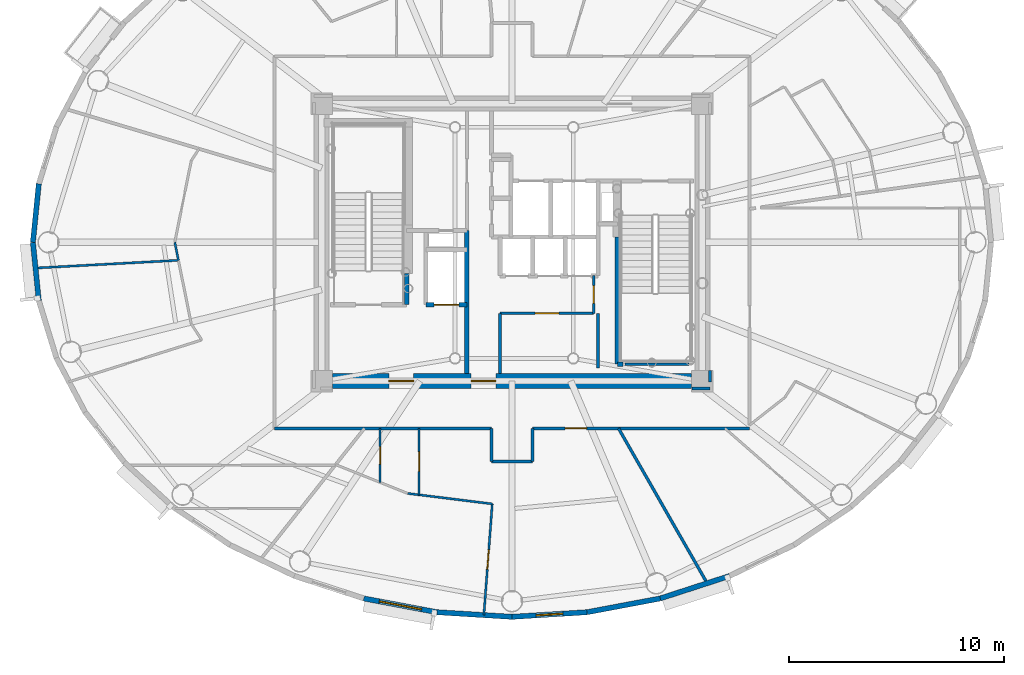
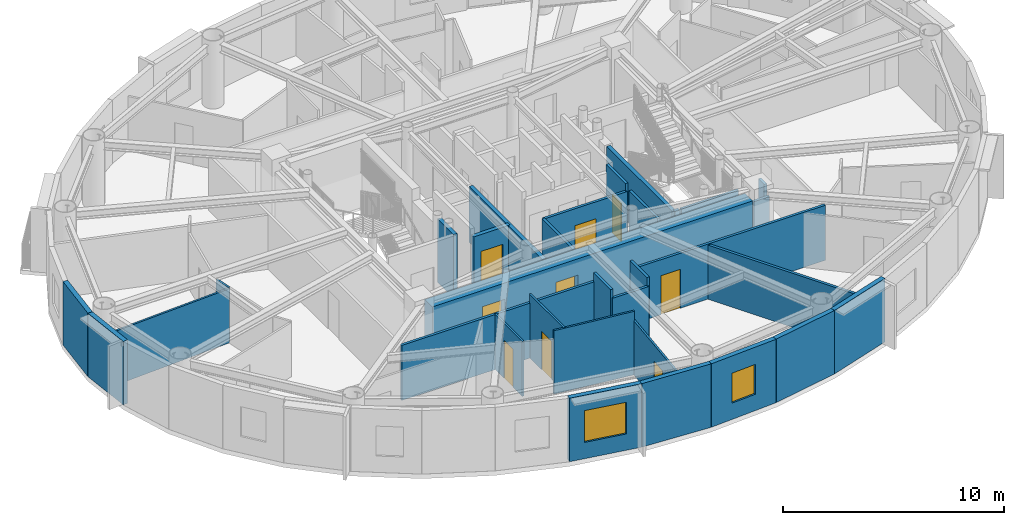
# One storey, part 6 of 17: 32 walls, 9 doors, 2 windows, 11 openings.
"""IFC4 building model written with IfcOpenShell, lengths in metres."""

from ifc_helpers import new_model, si_unit, direction, frame, frame_2d, origin, origin_2d, place, context, subcontext, project, spatial, rectangle, extrude, source, transform, mapped, material, layer, layer_set, type_object, element, fill, save


model = new_model("IFC4")

# Units and contexts
model_context = context("Model", 3, precision=1e-05, world=origin(), true_north=direction((0.0, 1.0)))
body_context = subcontext(model_context, "Body", "Model", "MODEL_VIEW")
ifc_project = project(units=[si_unit("LENGTHUNIT", "METRE"), si_unit("AREAUNIT", "SQUARE_METRE"), si_unit("VOLUMEUNIT", "CUBIC_METRE"), si_unit("PLANEANGLEUNIT", "RADIAN"), si_unit("MASSUNIT", "GRAM", prefix="KILO")], contexts=[model_context])

# Site, building, storey
site_placement = place(None, origin())
site = spatial("IfcSite", under=ifc_project, at=site_placement, CompositionType="ELEMENT")
building_placement = place(site_placement, origin())
building = spatial("IfcBuilding", under=site, at=building_placement, Name="Linh Dai School and Residence Tower", CompositionType="ELEMENT")
storey_placement = place(building_placement, frame((0.0, 0.0, 276.75)))
storey = spatial("IfcBuildingStorey", under=building, at=storey_placement, Name="L68", CompositionType="ELEMENT", Elevation=276.75)

# Walls
ifc_material_1 = material(Name="Precast Concrete B45 (C35/45)", Category="concrete")
ifc_layer_1 = layer(ifc_material_1, 0.239990234375)
ifc_layer_set_1 = layer_set([ifc_layer_1], Name="Precast Concrete B45 (C35/45)")
wall_type_1 = type_object("IfcWallType", Name="EW-TC-240", PredefinedType="SOLIDWALL", material=ifc_layer_set_1)
for number, where, z_axis, x_axis, name in (
    (1, (13.72509765625, 27.0, 0.0), (0.0, 0.0, 1.0), (0.099972526841, 0.99499019788, 0.0), "L68 Terracotta Exterior Wall 20"),
    (2, (13.998291015625, 24.281005859375, 0.0), (0.0, 0.0, 1.0), (-0.099972526841, 0.99499019788, 0.0), "L68 Terracotta Exterior Wall 21"),
):
    element("IfcWall", number, at=place(storey_placement, frame(where, z_axis=z_axis, x_axis=x_axis)), inside=storey, type_object=wall_type_1, Name=name, PredefinedType="SOLIDWALL", context=body_context, shape_type="SweptSolid", body=[
        extrude(rectangle(XDim=2.732666015625, YDim=0.239990234375, at=frame_2d((1.3662109375, 0.0))), origin(), (0.0, 0.0, 1.0), 3.5),
    ])

# Wall, opening, window
wall_1_placement = place(storey_placement, frame((32.51123046875, 9.800048828125, 0.0), z_axis=(0.0, 0.0, 1.0), x_axis=(-0.982782655757, 0.184765395959, 0.0)))
wall_1 = element("IfcWall", 3, at=wall_1_placement, inside=storey, type_object=wall_type_1, Name="L68 Terracotta Exterior Wall 29", PredefinedType="SOLIDWALL", context=body_context, shape_type="SweptSolid", body=[
    extrude(rectangle(XDim=3.4619140625, YDim=0.239990234375, at=frame_2d((1.73095703125, 0.0))), origin(), (0.0, 0.0, 1.0), 3.5),
])
opening_1_placement = place(wall_1_placement, frame((0.73095703125, 0.0, 0.89990234375)))
opening_1 = element("IfcOpeningElement", 4, at=opening_1_placement, cuts=wall_1, Name="Opening W1", PredefinedType="OPENING", context=body_context, shape_type="SweptSolid", body=[
    extrude(rectangle(XDim=2.0, YDim=1.75, at=origin_2d()), frame((1.0, 0.1298828125, 0.875), z_axis=(0.0, -1.0, 0.0), x_axis=(1.0, 0.0, 0.0)), (0.0, 0.0, 1.0), 0.260009765625),
])
ifc_material_2 = material(Name="Double Low-E Insulated Glazing", Category="glass")
window_type_1 = type_object("IfcWindowType", Name="WN-RES-2000x1750", PartitioningType="DOUBLE_PANEL_VERTICAL", PredefinedType="WINDOW", material=ifc_material_2)
shared_shape_1 = source(origin(), body_context, "Body", "SweptSolid", [
    extrude(rectangle(XDim=2.0, YDim=1.75, at=origin_2d()), frame((1.0, 0.030029296875, 0.875), z_axis=(0.0, -1.0, 0.0), x_axis=(1.0, 0.0, 0.0)), (0.0, 0.0, 1.0), 0.06005859375),
])
window_1_placement = place(opening_1_placement, origin())
window_1 = element("IfcWindow", 5, at=window_1_placement, inside=storey, type_object=window_type_1, Name="L68 Exterior Window 29.1", OverallHeight=1.75, OverallWidth=2.0, PartitioningType="DOUBLE_PANEL_VERTICAL", PredefinedType="WINDOW", context=body_context, shape_type="MappedRepresentation", body=[
    mapped(shared_shape_1, transform((0.0, 0.0, 0.0), x_axis=(1.0, 0.0, 0.0), y_axis=(0.0, 1.0, 0.0), z_axis=(0.0, 0.0, 1.0), scale=1.0)),
])
fill(opening_1, window_1)

# Wall
wall_2_placement = place(storey_placement, frame((36.0, 9.5849609375, 0.0), z_axis=(0.0, 0.0, 1.0), x_axis=(-0.998104946479, 0.061534671648, 0.0)))
element("IfcWall", 6, at=wall_2_placement, inside=storey, type_object=wall_type_1, Name="L68 Terracotta Exterior Wall 30", PredefinedType="SOLIDWALL", context=body_context, shape_type="SweptSolid", body=[
    extrude(rectangle(XDim=3.495361328125, YDim=0.239990234375, at=frame_2d((1.74755859375, 0.0))), origin(), (0.0, 0.0, 1.0), 3.5),
])

# Wall, opening, window
wall_3_placement = place(storey_placement, frame((39.48876953125, 9.800048828125, 0.0), z_axis=(0.0, 0.0, 1.0), x_axis=(-0.998104946479, -0.061534671648, 0.0)))
wall_3 = element("IfcWall", 7, at=wall_3_placement, inside=storey, type_object=wall_type_1, Name="L68 Terracotta Exterior Wall 31", PredefinedType="SOLIDWALL", context=body_context, shape_type="SweptSolid", body=[
    extrude(rectangle(XDim=3.495361328125, YDim=0.239990234375, at=frame_2d((1.74755859375, 0.0))), origin(), (0.0, 0.0, 1.0), 3.5),
])
opening_2_placement = place(wall_3_placement, frame((1.122802734375, 0.0, 0.89990234375)))
opening_2 = element("IfcOpeningElement", 8, at=opening_2_placement, cuts=wall_3, Name="Opening W3", PredefinedType="OPENING", context=body_context, shape_type="SweptSolid", body=[
    extrude(rectangle(XDim=1.25, YDim=1.64990234375, at=origin_2d()), frame((0.625, 0.1298828125, 0.824951171875), z_axis=(0.0, -1.0, 0.0), x_axis=(1.0, 0.0, 0.0)), (0.0, 0.0, 1.0), 0.260009765625),
])
window_type_2 = type_object("IfcWindowType", Name="WN-RES-1250x1650", PartitioningType="SINGLE_PANEL", PredefinedType="WINDOW", material=ifc_material_2)
shared_shape_2 = source(origin(), body_context, "Body", "SweptSolid", [
    extrude(rectangle(XDim=1.25, YDim=1.64990234375, at=origin_2d()), frame((0.625, 0.030029296875, 0.824951171875), z_axis=(0.0, -1.0, 0.0), x_axis=(1.0, 0.0, 0.0)), (0.0, 0.0, 1.0), 0.06005859375),
])
window_2_placement = place(opening_2_placement, origin())
window_2 = element("IfcWindow", 9, at=window_2_placement, inside=storey, type_object=window_type_2, Name="L68 Dwelling Window U6805-LIV", OverallHeight=1.64990234375, OverallWidth=1.25, PartitioningType="SINGLE_PANEL", PredefinedType="WINDOW", context=body_context, shape_type="MappedRepresentation", body=[
    mapped(shared_shape_2, transform((0.0, 0.0, 0.0), x_axis=(1.0, 0.0, 0.0), y_axis=(0.0, 1.0, 0.0), z_axis=(0.0, 0.0, 1.0), scale=1.0)),
])
fill(opening_2, window_2)

# Walls
wall_4_placement = place(storey_placement, frame((42.89111328125, 10.439697265625, 0.0), z_axis=(0.0, 0.0, 1.0), x_axis=(-0.982782655757, -0.184765395959, 0.0)))
element("IfcWall", 10, at=wall_4_placement, inside=storey, type_object=wall_type_1, Name="L68 Terracotta Exterior Wall 32", PredefinedType="SOLIDWALL", context=body_context, shape_type="SweptSolid", body=[
    extrude(rectangle(XDim=3.4619140625, YDim=0.239990234375, at=frame_2d((1.73095703125, 0.0))), origin(), (0.0, 0.0, 1.0), 3.5),
])
wall_5_placement = place(storey_placement, frame((46.123046875, 11.48779296875, 0.0), z_axis=(0.0, 0.0, 1.0), x_axis=(-0.95123136723, -0.308478339592, 0.0)))
element("IfcWall", 11, at=wall_5_placement, inside=storey, type_object=wall_type_1, Name="L68 Terracotta Exterior Wall 33", PredefinedType="SOLIDWALL", context=body_context, shape_type="SweptSolid", body=[
    extrude(rectangle(XDim=3.397705078125, YDim=0.239990234375, at=frame_2d((1.69873046875, 0.0))), origin(), (0.0, 0.0, 1.0), 3.5),
])
ifc_material_3 = material(Name="Autoclaved Aerated Concrete Blockwork", Category="masonry")
ifc_layer_2 = layer(ifc_material_3, 0.135009765625)
ifc_layer_set_2 = layer_set([ifc_layer_2], Name="Autoclaved Aerated Concrete Blockwork")
wall_type_2 = type_object("IfcWallType", Name="IW-CORR-135-EI90", PredefinedType="PARTITIONING", material=ifc_layer_set_2)
wall_6_placement = place(storey_placement, frame((24.949951171875, 18.35009765625, 0.0), z_axis=(0.0, 0.0, 1.0), x_axis=(1.0, 0.0, 0.0)))
element("IfcWall", 12, at=wall_6_placement, inside=storey, type_object=wall_type_2, Name="L68 Interior Partition Wall 014", PredefinedType="PARTITIONING", context=body_context, shape_type="SweptSolid", body=[
    extrude(rectangle(XDim=10.10009765625, YDim=0.135009765625, at=frame_2d((5.050048828125, 0.0))), origin(), (0.0, 0.0, 1.0), 3.034912109375),
])
wall_7_placement = place(storey_placement, frame((35.050048828125, 16.800048828125, 0.0), z_axis=(0.0, 0.0, 1.0), x_axis=(0.0, 1.0, 0.0)))
element("IfcWall", 13, at=wall_7_placement, inside=storey, type_object=wall_type_2, Name="L68 Interior Partition Wall 035", PredefinedType="PARTITIONING", context=body_context, shape_type="SweptSolid", body=[
    extrude(rectangle(XDim=1.550048828125, YDim=0.135009765625, at=frame_2d((0.77490234375, 0.0))), origin(), (0.0, 0.0, 1.0), 3.5),
])
wall_8_placement = place(storey_placement, frame((35.050048828125, 16.800048828125, 0.0), z_axis=(0.0, 0.0, 1.0), x_axis=(1.0, 0.0, 0.0)))
element("IfcWall", 14, at=wall_8_placement, inside=storey, type_object=wall_type_2, Name="L68 Interior Partition Wall 036", PredefinedType="PARTITIONING", context=body_context, shape_type="SweptSolid", body=[
    extrude(rectangle(XDim=1.89990234375, YDim=0.135009765625, at=frame_2d((0.949951171875, 0.0))), origin(), (0.0, 0.0, 1.0), 3.034912109375),
])
wall_9_placement = place(storey_placement, frame((35.449951171875, 20.89990234375, 0.0), z_axis=(0.0, 0.0, 1.0), x_axis=(0.0, 1.0, 0.0)))
element("IfcWall", 15, at=wall_9_placement, inside=storey, type_object=wall_type_2, Name="L68 Interior Partition Wall 045", PredefinedType="PARTITIONING", context=body_context, shape_type="SweptSolid", body=[
    extrude(rectangle(XDim=2.800048828125, YDim=0.135009765625, at=frame_2d((1.39990234375, 0.0))), origin(), (0.0, 0.0, 1.0), 3.0849609375),
])

# Wall, opening, door
wall_10_placement = place(storey_placement, frame((35.449951171875, 23.699951171875, 0.0), z_axis=(0.0, 0.0, 1.0), x_axis=(1.0, 0.0, 0.0)))
wall_10 = element("IfcWall", 16, at=wall_10_placement, inside=storey, type_object=wall_type_2, Name="L68 Interior Partition Wall 046", PredefinedType="PARTITIONING", context=body_context, shape_type="SweptSolid", body=[
    extrude(rectangle(XDim=4.35009765625, YDim=0.135009765625, at=frame_2d((2.175048828125, 0.0))), origin(), (0.0, 0.0, 1.0), 3.0849609375),
])
opening_3_placement = place(wall_10_placement, frame((1.625, 0.0, 0.0)))
opening_3 = element("IfcOpeningElement", 17, at=opening_3_placement, cuts=wall_10, Name="Opening D07", PredefinedType="OPENING", context=body_context, shape_type="SweptSolid", body=[
    extrude(rectangle(XDim=1.10009765625, YDim=2.14990234375, at=origin_2d()), frame((0.550048828125, 0.07763671875, 1.074951171875), z_axis=(0.0, -1.0, 0.0), x_axis=(1.0, 0.0, 0.0)), (0.0, 0.0, 1.0), 0.155029296875),
])
ifc_material_4 = material(Name="Fire-Rated Louvred Steel Plant Door", Category="steel")
door_type_1 = type_object("IfcDoorType", Name="DR-PLT-1100x2150-FD60S", OperationType="NOTDEFINED", PredefinedType="DOOR", material=ifc_material_4)
shared_shape_3 = source(origin(), body_context, "Body", "SweptSolid", [
    extrude(rectangle(XDim=1.10009765625, YDim=2.14990234375, at=origin_2d()), frame((0.550048828125, 0.02490234375, 1.074951171875), z_axis=(0.0, -1.0, 0.0), x_axis=(1.0, 0.0, 0.0)), (0.0, 0.0, 1.0), 0.050048828125),
])
door_1_placement = place(opening_3_placement, origin())
door_1 = element("IfcDoor", 18, at=door_1_placement, inside=storey, type_object=door_type_1, Name="L68 Tenant Metering and BMS Room Door", OperationType="SINGLE_SWING_RIGHT", OverallHeight=2.14990234375, OverallWidth=1.10009765625, PredefinedType="DOOR", context=body_context, shape_type="MappedRepresentation", body=[
    mapped(shared_shape_3, transform((0.0, 0.0, 0.0), x_axis=(1.0, 0.0, 0.0), y_axis=(0.0, 1.0, 0.0), z_axis=(0.0, 0.0, 1.0), scale=1.0)),
])
fill(opening_3, door_1)

# Wall
wall_11_placement = place(storey_placement, frame((36.949951171875, 16.800048828125, 0.0), z_axis=(0.0, 0.0, 1.0), x_axis=(0.0, 1.0, 0.0)))
element("IfcWall", 19, at=wall_11_placement, inside=storey, type_object=wall_type_2, Name="L68 Interior Partition Wall 053", PredefinedType="PARTITIONING", context=body_context, shape_type="SweptSolid", body=[
    extrude(rectangle(XDim=1.550048828125, YDim=0.135009765625, at=frame_2d((0.77490234375, 0.0))), origin(), (0.0, 0.0, 1.0), 3.5),
])

# Wall, opening, door
wall_12_placement = place(storey_placement, frame((36.949951171875, 18.35009765625, 0.0), z_axis=(0.0, 0.0, 1.0), x_axis=(1.0, 0.0, 0.0)))
wall_12 = element("IfcWall", 20, at=wall_12_placement, inside=storey, type_object=wall_type_2, Name="L68 Interior Partition Wall 054", PredefinedType="PARTITIONING", context=body_context, shape_type="SweptSolid", body=[
    extrude(rectangle(XDim=10.10009765625, YDim=0.135009765625, at=frame_2d((5.050048828125, 0.0))), origin(), (0.0, 0.0, 1.0), 3.034912109375),
])
opening_4_placement = place(wall_12_placement, frame((1.52099609375, 0.0, 0.0)))
opening_4 = element("IfcOpeningElement", 21, at=opening_4_placement, cuts=wall_12, Name="Opening D03", PredefinedType="OPENING", context=body_context, shape_type="SweptSolid", body=[
    extrude(rectangle(XDim=1.0, YDim=2.14990234375, at=origin_2d()), frame((0.5, 0.07763671875, 1.074951171875), z_axis=(0.0, -1.0, 0.0), x_axis=(1.0, 0.0, 0.0)), (0.0, 0.0, 1.0), 0.155029296875),
])
ifc_material_5 = material(Name="Fire-Rated Solid Timber Entrance Door", Category="wood")
door_type_2 = type_object("IfcDoorType", Name="DR-FLAT-1000x2150-FD60S", OperationType="NOTDEFINED", PredefinedType="DOOR", material=ifc_material_5)
shared_shape_4 = source(origin(), body_context, "Body", "SweptSolid", [
    extrude(rectangle(XDim=1.0, YDim=2.14990234375, at=origin_2d()), frame((0.5, 0.02490234375, 1.074951171875), z_axis=(0.0, -1.0, 0.0), x_axis=(1.0, 0.0, 0.0)), (0.0, 0.0, 1.0), 0.050048828125),
])
door_2_placement = place(opening_4_placement, origin())
door_2 = element("IfcDoor", 22, at=door_2_placement, inside=storey, type_object=door_type_2, Name="L68 U6805 Apartment Entrance Door", OperationType="SINGLE_SWING_LEFT", OverallHeight=2.14990234375, OverallWidth=1.0, PredefinedType="DOOR", context=body_context, shape_type="MappedRepresentation", body=[
    mapped(shared_shape_4, transform((0.0, 0.0, 0.0), x_axis=(1.0, 0.0, 0.0), y_axis=(0.0, 1.0, 0.0), z_axis=(0.0, 0.0, 1.0), scale=1.0)),
])
fill(opening_4, door_2)

wall_13_placement = place(storey_placement, frame((39.800048828125, 23.699951171875, 0.0), z_axis=(0.0, 0.0, 1.0), x_axis=(0.0, 1.0, 0.0)))
wall_13 = element("IfcWall", 23, at=wall_13_placement, inside=storey, type_object=wall_type_2, Name="L68 Interior Partition Wall 063", PredefinedType="PARTITIONING", context=body_context, shape_type="SweptSolid", body=[
    extrude(rectangle(XDim=1.75, YDim=0.135009765625, at=frame_2d((0.875, 0.0))), origin(), (0.0, 0.0, 1.0), 3.5),
])
opening_5_placement = place(wall_13_placement, frame((0.465087890625, 0.0, 0.0)))
opening_5 = element("IfcOpeningElement", 24, at=opening_5_placement, cuts=wall_13, Name="Opening D06", PredefinedType="OPENING", context=body_context, shape_type="SweptSolid", body=[
    extrude(rectangle(XDim=0.820068359375, YDim=2.10009765625, at=origin_2d()), frame((0.41015625, 0.07763671875, 1.050048828125), z_axis=(0.0, -1.0, 0.0), x_axis=(1.0, 0.0, 0.0)), (0.0, 0.0, 1.0), 0.155029296875),
])
ifc_material_6 = material(Name="Moisture-Resistant Timber Bathroom Door", Category="wood")
door_type_3 = type_object("IfcDoorType", Name="DR-WET-820x2100", OperationType="NOTDEFINED", PredefinedType="DOOR", material=ifc_material_6)
shared_shape_5 = source(origin(), body_context, "Body", "SweptSolid", [
    extrude(rectangle(XDim=0.820068359375, YDim=2.10009765625, at=origin_2d()), frame((0.41015625, 0.02490234375, 1.050048828125), z_axis=(0.0, -1.0, 0.0), x_axis=(1.0, 0.0, 0.0)), (0.0, 0.0, 1.0), 0.050048828125),
])
door_3_placement = place(opening_5_placement, origin())
door_3 = element("IfcDoor", 25, at=door_3_placement, inside=storey, type_object=door_type_3, Name="L68 Core Housekeeping Store Door", OperationType="SINGLE_SWING_RIGHT", OverallHeight=2.10009765625, OverallWidth=0.820068359375, PredefinedType="DOOR", context=body_context, shape_type="MappedRepresentation", body=[
    mapped(shared_shape_5, transform((0.0, 0.0, 0.0), x_axis=(1.0, 0.0, 0.0), y_axis=(0.0, 1.0, 0.0), z_axis=(0.0, 0.0, 1.0), scale=1.0)),
])
fill(opening_5, door_3)

# Walls
wall_14_placement = place(storey_placement, frame((40.951904296875, 18.35009765625, 0.0), z_axis=(0.0, 0.0, 1.0), x_axis=(0.496803688517, -0.867862947173, 0.0)))
element("IfcWall", 26, at=wall_14_placement, inside=storey, type_object=wall_type_2, Name="L68 Interior Partition Wall 068", PredefinedType="PARTITIONING", context=body_context, shape_type="SweptSolid", body=[
    extrude(rectangle(XDim=8.303955078125, YDim=0.135009765625, at=frame_2d((4.15185546875, 0.0))), origin(), (0.0, 0.0, 1.0), 2.985107421875),
])
wall_15_placement = place(storey_placement, frame((44.239990234375, 21.330078125, 0.0), z_axis=(0.0, 0.0, 1.0), x_axis=(-1.0, 0.0, 0.0)))
element("IfcWall", 27, at=wall_15_placement, inside=storey, type_object=wall_type_2, Name="L68 Interior Partition Wall 085", PredefinedType="PARTITIONING", context=body_context, shape_type="SweptSolid", body=[
    extrude(rectangle(XDim=2.97998046875, YDim=0.135009765625, at=frame_2d((1.489990234375, 0.0))), origin(), (0.0, 0.0, 1.0), 3.034912109375),
])
wall_16_placement = place(storey_placement, frame((40.0, 23.699951171875, 0.0), z_axis=(0.0, 0.0, 1.0), x_axis=(0.0, -1.0, 0.0)))
element("IfcWall", 28, at=wall_16_placement, inside=storey, type_object=wall_type_2, Name="L68 Interior Partition Wall 086", PredefinedType="PARTITIONING", context=body_context, shape_type="SweptSolid", body=[
    extrude(rectangle(XDim=2.5400390625, YDim=0.135009765625, at=frame_2d((1.27001953125, 0.0))), origin(), (0.0, 0.0, 1.0), 3.034912109375),
])
wall_17_placement = place(storey_placement, frame((44.360107421875, 20.199951171875, 0.0), z_axis=(0.0, 0.0, 1.0), x_axis=(1.0, 0.0, 0.0)))
element("IfcWall", 29, at=wall_17_placement, inside=storey, type_object=wall_type_2, Name="L68 Interior Partition Wall 092", PredefinedType="PARTITIONING", context=body_context, shape_type="SweptSolid", body=[
    extrude(rectangle(XDim=0.83984375, YDim=0.135009765625, at=frame_2d((0.419921875, 0.0))), origin(), (0.0, 0.0, 1.0), 3.034912109375),
])
wall_18_placement = place(storey_placement, frame((45.199951171875, 20.507568359375, 0.0), z_axis=(0.0, 0.0, 1.0), x_axis=(0.0, 1.0, 0.0)))
element("IfcWall", 30, at=wall_18_placement, inside=storey, type_object=wall_type_2, Name="L68 Interior Partition Wall 093", PredefinedType="PARTITIONING", context=body_context, shape_type="SweptSolid", body=[
    extrude(rectangle(XDim=0.532470703125, YDim=0.135009765625, at=frame_2d((0.26611328125, 0.0))), origin(), (0.0, 0.0, 1.0), 3.5),
])
ifc_material_7 = material(Name="Concrete B45 (C35/45)", Category="concrete")
ifc_layer_3 = layer(ifc_material_7, 0.199951171875)
ifc_layer_set_3 = layer_set([ifc_layer_3], Name="Concrete B45 (C35/45)")
wall_type_3 = type_object("IfcWallType", Name="IW-SHAFT-200-EI120", PredefinedType="PARTITIONING", material=ifc_layer_set_3)
wall_19_placement = place(storey_placement, frame((31.10009765625, 24.10009765625, 0.0), z_axis=(0.0, 0.0, 1.0), x_axis=(0.0, 1.0, 0.0)))
element("IfcWall", 31, at=wall_19_placement, inside=storey, type_object=wall_type_3, Name="L68 Interior Partition Wall 021", PredefinedType="PARTITIONING", context=body_context, shape_type="SweptSolid", body=[
    extrude(rectangle(XDim=1.43994140625, YDim=0.199951171875, at=frame_2d((0.719970703125, 0.0))), origin(), (0.0, 0.0, 1.0), 3.5),
])

# Wall, opening, door
wall_20_placement = place(storey_placement, frame((32.0, 24.10009765625, 0.0), z_axis=(0.0, 0.0, 1.0), x_axis=(1.0, 0.0, 0.0)))
wall_20 = element("IfcWall", 32, at=wall_20_placement, inside=storey, type_object=wall_type_3, Name="L68 Interior Partition Wall 027", PredefinedType="PARTITIONING", context=body_context, shape_type="SweptSolid", body=[
    extrude(rectangle(XDim=1.89990234375, YDim=0.199951171875, at=frame_2d((0.949951171875, 0.0))), origin(), (0.0, 0.0, 1.0), 3.0849609375),
])
opening_6_placement = place(wall_20_placement, frame((0.375, 0.0, 0.0)))
opening_6 = element("IfcOpeningElement", 33, at=opening_6_placement, cuts=wall_20, Name="Opening LD-FF2", PredefinedType="OPENING", context=body_context, shape_type="SweptSolid", body=[
    extrude(rectangle(XDim=1.14990234375, YDim=2.14990234375, at=origin_2d()), frame((0.574951171875, 0.10986328125, 1.074951171875), z_axis=(0.0, -1.0, 0.0), x_axis=(1.0, 0.0, 0.0)), (0.0, 0.0, 1.0), 0.219970703125),
])
ifc_material_8 = material(Name="Fire-Rated Stainless Steel Firefighting Lift Door", Category="steel")
door_type_4 = type_object("IfcDoorType", Name="DR-LD-FF-1150x2150-FD120", OperationType="DOUBLE_DOOR_SLIDING", PredefinedType="USERDEFINED", material=ifc_material_8)
shared_shape_6 = source(origin(), body_context, "Body", "SweptSolid", [
    extrude(rectangle(XDim=1.14990234375, YDim=2.14990234375, at=origin_2d()), frame((0.574951171875, 0.02490234375, 1.074951171875), z_axis=(0.0, -1.0, 0.0), x_axis=(1.0, 0.0, 0.0)), (0.0, 0.0, 1.0), 0.050048828125),
])
door_4_placement = place(opening_6_placement, origin())
door_4 = element("IfcDoor", 34, at=door_4_placement, inside=storey, type_object=door_type_4, Name="L68 Lift FF2 Sliding Landing Door", ObjectType="LANDING DOOR", OperationType="DOUBLE_DOOR_SLIDING", OverallHeight=2.14990234375, OverallWidth=1.14990234375, PredefinedType="USERDEFINED", context=body_context, shape_type="MappedRepresentation", body=[
    mapped(shared_shape_6, transform((0.0, 0.0, 0.0), x_axis=(1.0, 0.0, 0.0), y_axis=(0.0, 1.0, 0.0), z_axis=(0.0, 0.0, 1.0), scale=1.0)),
])
fill(opening_6, door_4)

# Walls
wall_21_placement = place(storey_placement, frame((33.89990234375, 20.89990234375, 0.0), z_axis=(0.0, 0.0, 1.0), x_axis=(0.0, 1.0, 0.0)))
element("IfcWall", 35, at=wall_21_placement, inside=storey, type_object=wall_type_3, Name="L68 Interior Partition Wall 030", PredefinedType="PARTITIONING", context=body_context, shape_type="SweptSolid", body=[
    extrude(rectangle(XDim=6.650146484375, YDim=0.199951171875, at=frame_2d((3.3251953125, 0.0))), origin(), (0.0, 0.0, 1.0), 3.0849609375),
])
wall_22_placement = place(storey_placement, frame((40.89990234375, 21.330078125, 0.0), z_axis=(0.0, 0.0, 1.0), x_axis=(0.0, 1.0, 0.0)))
element("IfcWall", 36, at=wall_22_placement, inside=storey, type_object=wall_type_3, Name="L68 Interior Partition Wall 066", PredefinedType="PARTITIONING", context=body_context, shape_type="SweptSolid", body=[
    extrude(rectangle(XDim=5.909912109375, YDim=0.199951171875, at=frame_2d((2.955078125, 0.0))), origin(), (0.0, 0.0, 1.0), 3.034912109375),
])
wall_23_placement = place(storey_placement, frame((40.89990234375, 21.330078125, 0.0), z_axis=(0.0, 0.0, 1.0), x_axis=(1.0, 0.0, 0.0)))
element("IfcWall", 37, at=wall_23_placement, inside=storey, type_object=wall_type_3, Name="L68 Interior Partition Wall 067", PredefinedType="PARTITIONING", context=body_context, shape_type="SweptSolid", body=[
    extrude(rectangle(XDim=0.25, YDim=0.199951171875, at=frame_2d((0.125, 0.0))), origin(), (0.0, 0.0, 1.0), 3.034912109375),
])
ifc_material_9 = material(Name="Gypsum Plasterboard Acoustic Stud Partition", Category="masonry")
ifc_layer_4 = layer(ifc_material_9, 0.10009765625)
ifc_layer_set_4 = layer_set([ifc_layer_4], Name="Gypsum Plasterboard Acoustic Stud Partition")
wall_type_4 = type_object("IfcWallType", Name="IW-UNIT-100", PredefinedType="PARTITIONING", material=ifc_layer_set_4)
wall_24_placement = place(storey_placement, frame((13.84033203125, 25.802490234375, 0.0), z_axis=(0.0, 0.0, 1.0), x_axis=(0.998542593702, 0.05396932983, 0.0)))
element("IfcWall", 38, at=wall_24_placement, inside=storey, type_object=wall_type_4, Name="L68 Interior Partition Wall 001", PredefinedType="PARTITIONING", context=body_context, shape_type="SweptSolid", body=[
    extrude(rectangle(XDim=6.658935546875, YDim=0.10009765625, at=frame_2d((3.32958984375, 0.0))), origin(), (0.0, 0.0, 1.0), 2.985107421875),
])
wall_25_placement = place(storey_placement, frame((20.320068359375, 27.0, 0.0), z_axis=(0.0, 0.0, 1.0), x_axis=(0.198147261764, -0.980172261725, 0.0)))
element("IfcWall", 39, at=wall_25_placement, inside=storey, type_object=wall_type_4, Name="L68 Interior Partition Wall 005", PredefinedType="PARTITIONING", context=body_context, shape_type="SweptSolid", body=[
    extrude(rectangle(XDim=0.85498046875, YDim=0.10009765625, at=frame_2d((0.427490234375, 0.0))), origin(), (0.0, 0.0, 1.0), 3.034912109375),
])

# Wall, opening, door
wall_26_placement = place(storey_placement, frame((29.864990234375, 15.83740234375, 0.0), z_axis=(0.0, 0.0, 1.0), x_axis=(0.0, 1.0, 0.0)))
wall_26 = element("IfcWall", 40, at=wall_26_placement, inside=storey, type_object=wall_type_4, Name="L68 Interior Partition Wall 019", PredefinedType="PARTITIONING", context=body_context, shape_type="SweptSolid", body=[
    extrude(rectangle(XDim=2.5126953125, YDim=0.10009765625, at=frame_2d((1.25634765625, 0.0))), origin(), (0.0, 0.0, 1.0), 3.034912109375),
])
opening_7_placement = place(wall_26_placement, frame((0.84619140625, 0.0, 0.0)))
opening_7 = element("IfcOpeningElement", 41, at=opening_7_placement, cuts=wall_26, Name="Opening D06", PredefinedType="OPENING", context=body_context, shape_type="SweptSolid", body=[
    extrude(rectangle(XDim=0.820068359375, YDim=2.10009765625, at=origin_2d()), frame((0.41015625, 0.06005859375, 1.050048828125), z_axis=(0.0, -1.0, 0.0), x_axis=(1.0, 0.0, 0.0)), (0.0, 0.0, 1.0), 0.1201171875),
])
door_5_placement = place(opening_7_placement, origin())
door_5 = element("IfcDoor", 42, at=door_5_placement, inside=storey, type_object=door_type_3, Name="L68 Apartment U6805 Bathroom 1 Door", OperationType="SINGLE_SWING_RIGHT", OverallHeight=2.10009765625, OverallWidth=0.820068359375, PredefinedType="DOOR", context=body_context, shape_type="MappedRepresentation", body=[
    mapped(shared_shape_5, transform((0.0, 0.0, 0.0), x_axis=(1.0, 0.0, 0.0), y_axis=(0.0, 1.0, 0.0), z_axis=(0.0, 0.0, 1.0), scale=1.0)),
])
fill(opening_7, door_5)

# Wall
wall_27_placement = place(storey_placement, frame((31.154541015625, 15.322998046875, 0.0), z_axis=(0.0, 0.0, 1.0), x_axis=(0.992397939869, -0.123070422704, 0.0)))
element("IfcWall", 43, at=wall_27_placement, inside=storey, type_object=wall_type_4, Name="L68 Interior Partition Wall 023", PredefinedType="PARTITIONING", context=body_context, shape_type="SweptSolid", body=[
    extrude(rectangle(XDim=3.95751953125, YDim=0.10009765625, at=frame_2d((1.978759765625, 0.0))), origin(), (0.0, 0.0, 1.0), 3.5),
])

# Wall, opening, door
wall_28_placement = place(storey_placement, frame((31.6826171875, 15.257568359375, 0.0), z_axis=(0.0, 0.0, 1.0), x_axis=(0.0, 1.0, 0.0)))
wall_28 = element("IfcWall", 44, at=wall_28_placement, inside=storey, type_object=wall_type_4, Name="L68 Interior Partition Wall 025", PredefinedType="PARTITIONING", context=body_context, shape_type="SweptSolid", body=[
    extrude(rectangle(XDim=3.092529296875, YDim=0.10009765625, at=frame_2d((1.54638671875, 0.0))), origin(), (0.0, 0.0, 1.0), 3.5),
])
opening_8_placement = place(wall_28_placement, frame((1.09619140625, 0.0, 0.0)))
opening_8 = element("IfcOpeningElement", 45, at=opening_8_placement, cuts=wall_28, Name="Opening D05", PredefinedType="OPENING", context=body_context, shape_type="SweptSolid", body=[
    extrude(rectangle(XDim=0.89990234375, YDim=2.10009765625, at=origin_2d()), frame((0.449951171875, 0.06005859375, 1.050048828125), z_axis=(0.0, -1.0, 0.0), x_axis=(1.0, 0.0, 0.0)), (0.0, 0.0, 1.0), 0.1201171875),
])
ifc_material_10 = material(Name="Engineered Timber Internal Door", Category="wood")
door_type_5 = type_object("IfcDoorType", Name="DR-INT-900x2100", OperationType="NOTDEFINED", PredefinedType="DOOR", material=ifc_material_10)
shared_shape_7 = source(origin(), body_context, "Body", "SweptSolid", [
    extrude(rectangle(XDim=0.89990234375, YDim=2.10009765625, at=origin_2d()), frame((0.449951171875, 0.02490234375, 1.050048828125), z_axis=(0.0, -1.0, 0.0), x_axis=(1.0, 0.0, 0.0)), (0.0, 0.0, 1.0), 0.050048828125),
])
door_6_placement = place(opening_8_placement, origin())
door_6 = element("IfcDoor", 46, at=door_6_placement, inside=storey, type_object=door_type_5, Name="L68 Apartment U6805 Kitchen Door", OperationType="SINGLE_SWING_LEFT", OverallHeight=2.10009765625, OverallWidth=0.89990234375, PredefinedType="DOOR", context=body_context, shape_type="MappedRepresentation", body=[
    mapped(shared_shape_7, transform((0.0, 0.0, 0.0), x_axis=(1.0, 0.0, 0.0), y_axis=(0.0, 1.0, 0.0), z_axis=(0.0, 0.0, 1.0), scale=1.0)),
])
fill(opening_8, door_6)

wall_29_placement = place(storey_placement, frame((34.69140625, 9.66064453125, 0.0), z_axis=(0.0, 0.0, 1.0), x_axis=(0.0752647297, 0.997163587614, 0.0)))
wall_29 = element("IfcWall", 47, at=wall_29_placement, inside=storey, type_object=wall_type_4, Name="L68 Interior Partition Wall 033", PredefinedType="PARTITIONING", context=body_context, shape_type="SweptSolid", body=[
    extrude(rectangle(XDim=5.18994140625, YDim=0.10009765625, at=frame_2d((2.594970703125, 0.0))), origin(), (0.0, 0.0, 1.0), 2.985107421875),
])
opening_9_placement = place(wall_29_placement, frame((2.14501953125, 0.0, 0.0)))
opening_9 = element("IfcOpeningElement", 48, at=opening_9_placement, cuts=wall_29, Name="Opening D05", PredefinedType="OPENING", context=body_context, shape_type="SweptSolid", body=[
    extrude(rectangle(XDim=0.89990234375, YDim=2.10009765625, at=origin_2d()), frame((0.449951171875, 0.06005859375, 1.050048828125), z_axis=(0.0, -1.0, 0.0), x_axis=(1.0, 0.0, 0.0)), (0.0, 0.0, 1.0), 0.1201171875),
])
door_7_placement = place(opening_9_placement, origin())
door_7 = element("IfcDoor", 49, at=door_7_placement, inside=storey, type_object=door_type_5, Name="L68 Apartment U6805 Principal Bedroom 1 Door", OperationType="SINGLE_SWING_RIGHT", OverallHeight=2.10009765625, OverallWidth=0.89990234375, PredefinedType="DOOR", context=body_context, shape_type="MappedRepresentation", body=[
    mapped(shared_shape_7, transform((0.0, 0.0, 0.0), x_axis=(1.0, 0.0, 0.0), y_axis=(0.0, 1.0, 0.0), z_axis=(0.0, 0.0, 1.0), scale=1.0)),
])
fill(opening_9, door_7)

# Wall, openings, doors
ifc_layer_5 = layer(ifc_material_7, 0.699951171875)
ifc_layer_set_5 = layer_set([ifc_layer_5], Name="Concrete B45 (C35/45)")
wall_type_5 = type_object("IfcWallType", Name="WL-CORE700", PredefinedType="SHEAR", material=ifc_layer_set_5)
wall_30_placement = place(storey_placement, frame((44.35009765625, 20.550048828125, 0.0), z_axis=(0.0, 0.0, 1.0), x_axis=(-1.0, 0.0, 0.0)))
wall_30 = element("IfcWall", 50, at=wall_30_placement, inside=storey, type_object=wall_type_5, Name="L68 Central Core Shear Wall S", PredefinedType="SHEAR", context=body_context, shape_type="SweptSolid", body=[
    extrude(rectangle(XDim=16.7001953125, YDim=0.699951171875, at=frame_2d((8.35009765625, 0.0))), origin(), (0.0, 0.0, 1.0), 3.050048828125),
])
opening_10_placement = place(wall_30_placement, frame((12.925048828125, 0.0, 0.0)))
opening_10 = element("IfcOpeningElement", 51, at=opening_10_placement, cuts=wall_30, Name="Opening D02", PredefinedType="OPENING", context=body_context, shape_type="SweptSolid", body=[
    extrude(rectangle(XDim=1.14990234375, YDim=2.14990234375, at=origin_2d()), frame((0.574951171875, 0.35986328125, 1.074951171875), z_axis=(0.0, -1.0, 0.0), x_axis=(1.0, 0.0, 0.0)), (0.0, 0.0, 1.0), 0.719970703125),
])
opening_11_placement = place(wall_30_placement, frame((9.10009765625, 0.0, 0.0)))
opening_11 = element("IfcOpeningElement", 52, at=opening_11_placement, cuts=wall_30, Name="Opening D02", PredefinedType="OPENING", context=body_context, shape_type="SweptSolid", body=[
    extrude(rectangle(XDim=1.14990234375, YDim=2.14990234375, at=origin_2d()), frame((0.574951171875, 0.35986328125, 1.074951171875), z_axis=(0.0, -1.0, 0.0), x_axis=(1.0, 0.0, 0.0)), (0.0, 0.0, 1.0), 0.719970703125),
])
ifc_material_11 = material(Name="Fire-Rated Glazed Steel Lobby Door", Category="steel")
door_type_6 = type_object("IfcDoorType", Name="DR-LOBBY-1150x2150-FD90S", OperationType="NOTDEFINED", PredefinedType="DOOR", material=ifc_material_11)
shared_shape_8 = source(origin(), body_context, "Body", "SweptSolid", [
    extrude(rectangle(XDim=1.14990234375, YDim=2.14990234375, at=origin_2d()), frame((0.574951171875, 0.02490234375, 1.074951171875), z_axis=(0.0, -1.0, 0.0), x_axis=(1.0, 0.0, 0.0)), (0.0, 0.0, 1.0), 0.050048828125),
])
door_8_placement = place(opening_10_placement, origin())
door_8 = element("IfcDoor", 53, at=door_8_placement, inside=storey, type_object=door_type_6, Name="L68 Firefighting Lobby Door", OperationType="SINGLE_SWING_LEFT", OverallHeight=2.14990234375, OverallWidth=1.14990234375, PredefinedType="DOOR", context=body_context, shape_type="MappedRepresentation", body=[
    mapped(shared_shape_8, transform((0.0, 0.0, 0.0), x_axis=(1.0, 0.0, 0.0), y_axis=(0.0, 1.0, 0.0), z_axis=(0.0, 0.0, 1.0), scale=1.0)),
])
fill(opening_10, door_8)
door_9_placement = place(opening_11_placement, origin())
door_9 = element("IfcDoor", 54, at=door_9_placement, inside=storey, type_object=door_type_6, Name="L68 Passenger Foyer Access Door", OperationType="SINGLE_SWING_LEFT", OverallHeight=2.14990234375, OverallWidth=1.14990234375, PredefinedType="DOOR", context=body_context, shape_type="MappedRepresentation", body=[
    mapped(shared_shape_8, transform((0.0, 0.0, 0.0), x_axis=(1.0, 0.0, 0.0), y_axis=(0.0, 1.0, 0.0), z_axis=(0.0, 0.0, 1.0), scale=1.0)),
])
fill(opening_11, door_9)

save(model, "model.ifc")
